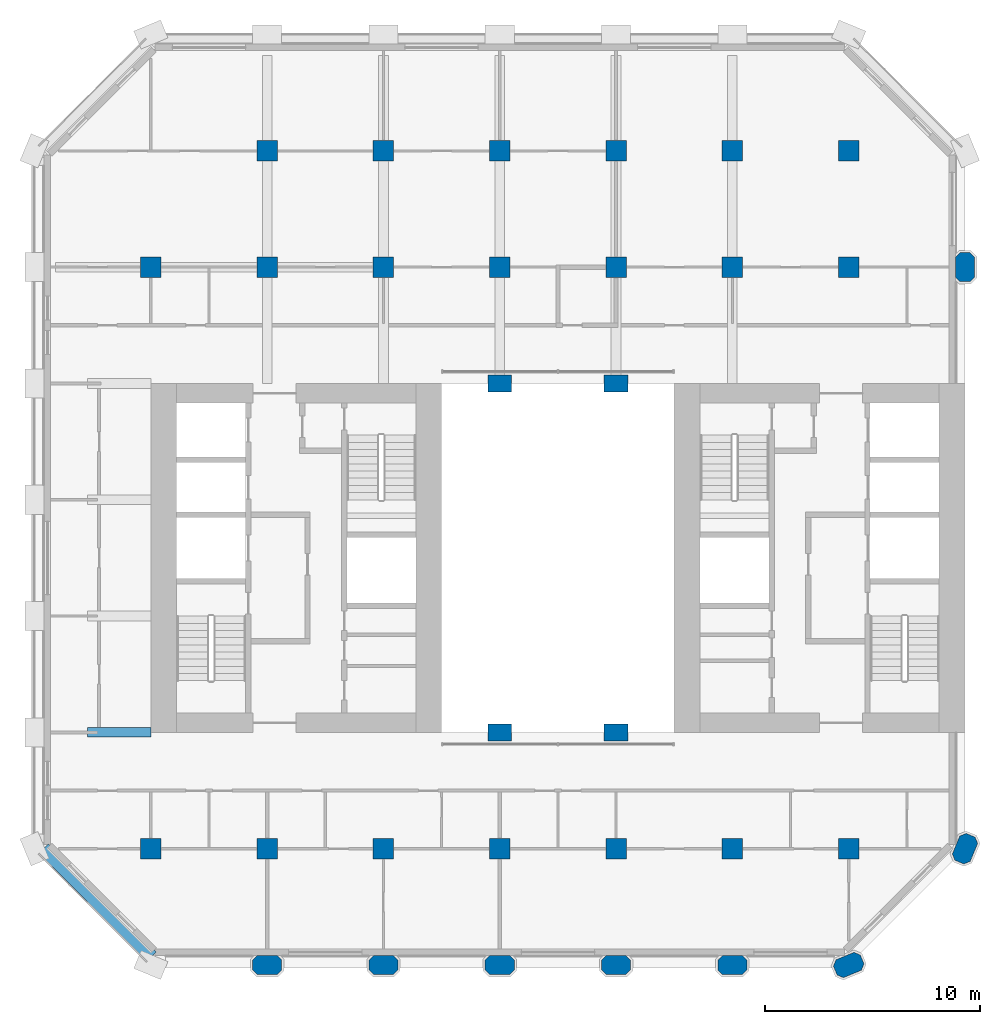
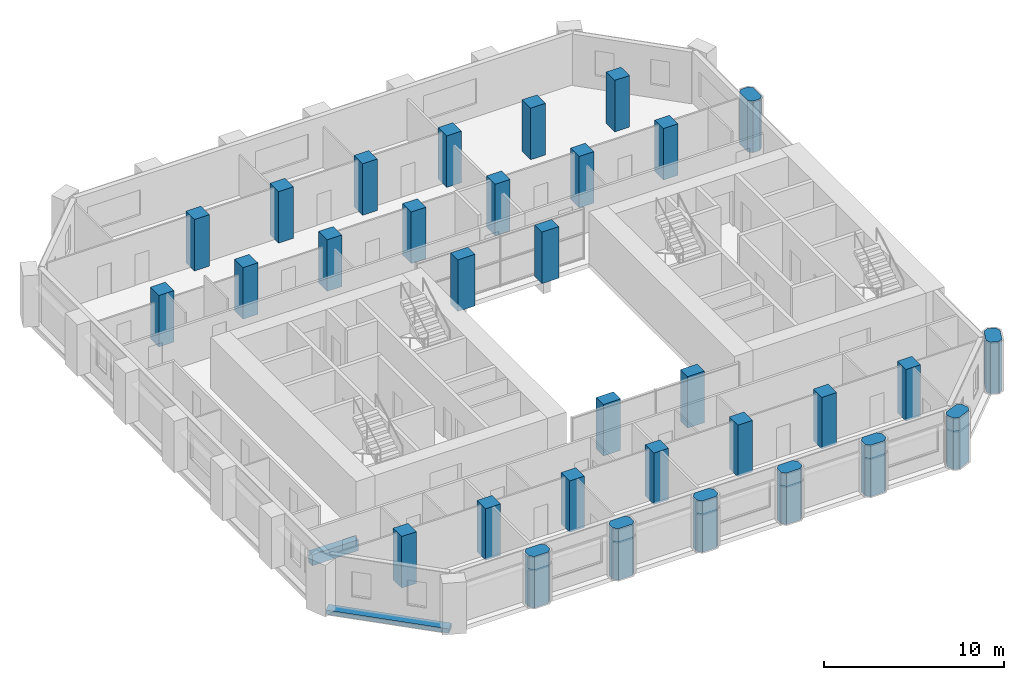
# One storey, part 1 of 13: 32 columns, 2 beams.
"""IFC4 building model written with IfcOpenShell, lengths in metres."""

from ifc_helpers import new_model, si_unit, direction, frame, origin, origin_2d, place, context, subcontext, project, spatial, polyline, rectangle, outline, extrude, material, material_profile, profile_set, type_object, element, save


model = new_model("IFC4")

# Units and contexts
model_context = context("Model", 3, precision=1e-05, world=origin(), true_north=direction((0.0, 1.0)))
body_context = subcontext(model_context, "Body", "Model", "MODEL_VIEW")
ifc_project = project(units=[si_unit("LENGTHUNIT", "METRE"), si_unit("AREAUNIT", "SQUARE_METRE"), si_unit("VOLUMEUNIT", "CUBIC_METRE"), si_unit("PLANEANGLEUNIT", "RADIAN"), si_unit("MASSUNIT", "GRAM", prefix="KILO")], contexts=[model_context])

# Site, building, storey
site_placement = place(None, origin())
site = spatial("IfcSite", under=ifc_project, at=site_placement, CompositionType="ELEMENT")
building_placement = place(site_placement, origin())
building = spatial("IfcBuilding", under=site, at=building_placement, Name="Tabaq Tower and Sports Hall", CompositionType="ELEMENT")
storey_placement = place(building_placement, frame((0.0, 0.0, 114.39990234375)))
storey = spatial("IfcBuildingStorey", under=building, at=storey_placement, Name="L27", CompositionType="ELEMENT", Elevation=114.39990234375)

# Columns
ifc_material_1 = material(Name="Concrete C60/75", Category="concrete")
ifc_material_profile_1 = material_profile(ifc_material_1, rectangle(XDim=1.10009765625, YDim=0.800048828125, at=origin_2d()), Name="ATRIUM COLUMN 1100x800")
ifc_profile_set_1 = profile_set([ifc_material_profile_1], Name="Concrete C60/75")
column_type_1 = type_object("IfcColumnType", Name="RC COLUMN ATRIUM COLUMN 1100x800 C60/75", PredefinedType="COLUMN", material=ifc_profile_set_1)
for number, where, z_axis, x_axis, name in (
    (1, (21.60009765625, 16.199951171875, 0.0), (0.0, 0.0, 1.0), (1.0, 0.0, 0.0), "Atrium Column 5/D L27"),
    (2, (27.0, 16.199951171875, 0.0), (0.0, 0.0, 1.0), (1.0, 0.0, 0.0), "Atrium Column 6/D L27"),
    (3, (21.60009765625, 32.39990234375, 0.0), (0.0, 0.0, 1.0), (1.0, 0.0, 0.0), "Atrium Column 5/G L27"),
    (4, (27.0, 32.39990234375, 0.0), (0.0, 0.0, 1.0), (1.0, 0.0, 0.0), "Atrium Column 6/G L27"),
):
    element("IfcColumn", number, at=place(storey_placement, frame(where, z_axis=z_axis, x_axis=x_axis)), inside=storey, type_object=column_type_1, Name=name, PredefinedType="COLUMN", context=body_context, shape_type="SweptSolid", body=[
        extrude(rectangle(XDim=1.10009765625, YDim=0.800048828125, at=origin_2d()), origin(), (0.0, 0.0, 1.0), 3.5),
    ])
ifc_material_2 = material(Name="Concrete C60/75", Category="concrete")
ifc_material_profile_2 = material_profile(ifc_material_2, rectangle(XDim=0.949951171875, YDim=0.949951171875, at=origin_2d()), Name="COLUMN 950x950")
ifc_profile_set_2 = profile_set([ifc_material_profile_2], Name="Concrete C60/75")
column_type_2 = type_object("IfcColumnType", Name="RC COLUMN COLUMN 950x950 C60/75", PredefinedType="COLUMN", material=ifc_profile_set_2)
for number, where, z_axis, x_axis, name in (
    (5, (5.39990234375, 10.800048828125, 0.0), (0.0, 0.0, 1.0), (1.0, 0.0, 0.0), "Column 2/C L27"),
    (6, (10.800048828125, 10.800048828125, 0.0), (0.0, 0.0, 1.0), (1.0, 0.0, 0.0), "Column 3/C L27"),
    (7, (16.199951171875, 10.800048828125, 0.0), (0.0, 0.0, 1.0), (1.0, 0.0, 0.0), "Column 4/C L27"),
    (8, (21.60009765625, 10.800048828125, 0.0), (0.0, 0.0, 1.0), (1.0, 0.0, 0.0), "Column 5/C L27"),
    (9, (27.0, 10.800048828125, 0.0), (0.0, 0.0, 1.0), (1.0, 0.0, 0.0), "Column 6/C L27"),
    (10, (32.39990234375, 10.800048828125, 0.0), (0.0, 0.0, 1.0), (1.0, 0.0, 0.0), "Column 7/C L27"),
    (11, (37.800048828125, 10.800048828125, 0.0), (0.0, 0.0, 1.0), (1.0, 0.0, 0.0), "Column 8/C L27"),
    (12, (5.39990234375, 37.800048828125, 0.0), (0.0, 0.0, 1.0), (1.0, 0.0, 0.0), "Column 2/H L27"),
    (13, (10.800048828125, 37.800048828125, 0.0), (0.0, 0.0, 1.0), (1.0, 0.0, 0.0), "Column 3/H L27"),
    (14, (16.199951171875, 37.800048828125, 0.0), (0.0, 0.0, 1.0), (1.0, 0.0, 0.0), "Column 4/H L27"),
    (15, (21.60009765625, 37.800048828125, 0.0), (0.0, 0.0, 1.0), (1.0, 0.0, 0.0), "Column 5/H L27"),
    (16, (27.0, 37.800048828125, 0.0), (0.0, 0.0, 1.0), (1.0, 0.0, 0.0), "Column 6/H L27"),
    (17, (32.39990234375, 37.800048828125, 0.0), (0.0, 0.0, 1.0), (1.0, 0.0, 0.0), "Column 7/H L27"),
    (18, (37.800048828125, 37.800048828125, 0.0), (0.0, 0.0, 1.0), (1.0, 0.0, 0.0), "Column 8/H L27"),
    (19, (10.800048828125, 43.199951171875, 0.0), (0.0, 0.0, 1.0), (1.0, 0.0, 0.0), "Column 3/I L27"),
    (20, (16.199951171875, 43.199951171875, 0.0), (0.0, 0.0, 1.0), (1.0, 0.0, 0.0), "Column 4/I L27"),
    (21, (21.60009765625, 43.199951171875, 0.0), (0.0, 0.0, 1.0), (1.0, 0.0, 0.0), "Column 5/I L27"),
    (22, (27.0, 43.199951171875, 0.0), (0.0, 0.0, 1.0), (1.0, 0.0, 0.0), "Column 6/I L27"),
    (23, (32.39990234375, 43.199951171875, 0.0), (0.0, 0.0, 1.0), (1.0, 0.0, 0.0), "Column 7/I L27"),
    (24, (37.800048828125, 43.199951171875, 0.0), (0.0, 0.0, 1.0), (1.0, 0.0, 0.0), "Column 8/I L27"),
):
    element("IfcColumn", number, at=place(storey_placement, frame(where, z_axis=z_axis, x_axis=x_axis)), inside=storey, type_object=column_type_2, Name=name, PredefinedType="COLUMN", context=body_context, shape_type="SweptSolid", body=[
        extrude(rectangle(XDim=0.949951171875, YDim=0.949951171875, at=origin_2d()), origin(), (0.0, 0.0, 1.0), 3.5),
    ])
ifc_material_3 = material(Name="Concrete C60/75", Category="concrete")
ifc_material_profile_3 = material_profile(ifc_material_3, outline(polyline([(-0.449951171875, -0.449951171875), (0.449951171875, -0.449951171875), (0.675048828125, -0.22509765625), (0.675048828125, 0.22509765625), (0.449951171875, 0.449951171875), (-0.449951171875, 0.449951171875), (-0.675048828125, 0.22509765625), (-0.675048828125, -0.22509765625), (-0.449951171875, -0.449951171875)])), Name="PIER 1350x900")
ifc_profile_set_3 = profile_set([ifc_material_profile_3], Name="Concrete C60/75")
column_type_3 = type_object("IfcColumnType", Name="RC COLUMN PIER 1350x900 C60/75", PredefinedType="COLUMN", material=ifc_profile_set_3)
for number, where, z_axis, x_axis, name in (
    (25, (10.800048828125, 5.39990234375, 0.0), (0.0, 0.0, 1.0), (1.0, 0.0, 0.0), "Pier 3/B L27"),
    (26, (16.199951171875, 5.39990234375, 0.0), (0.0, 0.0, 1.0), (1.0, 0.0, 0.0), "Pier 4/B L27"),
    (27, (21.60009765625, 5.39990234375, 0.0), (0.0, 0.0, 1.0), (1.0, 0.0, 0.0), "Pier 5/B L27"),
    (28, (27.0, 5.39990234375, 0.0), (0.0, 0.0, 1.0), (1.0, 0.0, 0.0), "Pier 6/B L27"),
    (29, (32.39990234375, 5.39990234375, 0.0), (0.0, 0.0, 1.0), (1.0, 0.0, 0.0), "Pier 7/B L27"),
    (30, (37.800048828125, 5.39990234375, 0.0), (0.0, 0.0, 1.0), (0.923879532511, 0.382683432365, 0.0), "Pier 8/B L27"),
    (31, (43.199951171875, 10.800048828125, 0.0), (0.0, 0.0, 1.0), (0.382683432365, 0.923879532511, 0.0), "Pier 9/C L27"),
    (32, (43.199951171875, 37.800048828125, 0.0), (0.0, 0.0, 1.0), (0.0, 1.0, 0.0), "Pier 9/H L27"),
):
    element("IfcColumn", number, at=place(storey_placement, frame(where, z_axis=z_axis, x_axis=x_axis)), inside=storey, type_object=column_type_3, Name=name, PredefinedType="COLUMN", context=body_context, shape_type="SweptSolid", body=[
        extrude(outline(polyline([(-0.449951171875, -0.449951171875), (0.449951171875, -0.449951171875), (0.675048828125, -0.22509765625), (0.675048828125, 0.22509765625), (0.449951171875, 0.449951171875), (-0.449951171875, 0.449951171875), (-0.675048828125, 0.22509765625), (-0.675048828125, -0.22509765625), (-0.449951171875, -0.449951171875)])), origin(), (0.0, 0.0, 1.0), 3.5),
    ])

# Beams
ifc_material_4 = material(Name="Concrete C40/50", Category="concrete")
ifc_material_profile_4 = material_profile(ifc_material_4, rectangle(XDim=0.449951171875, YDim=0.75, at=origin_2d()), Name="CB 450x750")
ifc_profile_set_4 = profile_set([ifc_material_profile_4], Name="Concrete C40/50")
beam_type_1 = type_object("IfcBeamType", Name="PT CANTILEVER BEAM CB 450x750 C40/50", PredefinedType="BEAM", material=ifc_profile_set_4)
beam_1_placement = place(storey_placement, frame((2.449951171875, 16.199951171875, -0.6748046875), z_axis=(1.0, 0.0, 0.0), x_axis=(0.0, 1.0, 0.0)))
element("IfcBeam", 33, at=beam_1_placement, inside=storey, type_object=beam_type_1, Name="Cantilever Beam L27 W3 span 1", PredefinedType="BEAM", context=body_context, shape_type="SweptSolid", body=[
    extrude(rectangle(XDim=0.449951171875, YDim=0.75, at=origin_2d()), origin(), (0.0, 0.0, 1.0), 2.949951171875),
])
ifc_material_5 = material(Name="Concrete C40/50", Category="concrete")
ifc_material_profile_5 = material_profile(ifc_material_5, rectangle(XDim=0.60009765625, YDim=0.300048828125, at=origin_2d()), Name="EB 600x300")
ifc_profile_set_5 = profile_set([ifc_material_profile_5], Name="Concrete C40/50")
beam_type_2 = type_object("IfcBeamType", Name="PT EDGE BEAM EB 600x300 C40/50", PredefinedType="SPANDREL", material=ifc_profile_set_5)
beam_2_placement = place(storey_placement, frame((0.42333984375, 10.801025390625, -0.14990234375), z_axis=(0.707089559252, -0.707124002701, 0.0), x_axis=(0.707124002701, 0.707089559252, 0.0)))
element("IfcBeam", 34, at=beam_2_placement, inside=storey, type_object=beam_type_2, Name="Edge Beam L27 5", PredefinedType="SPANDREL", context=body_context, shape_type="SweptSolid", body=[
    extrude(rectangle(XDim=0.60009765625, YDim=0.300048828125, at=origin_2d()), origin(), (0.0, 0.0, 1.0), 7.088134765625),
])

save(model, "model.ifc")
